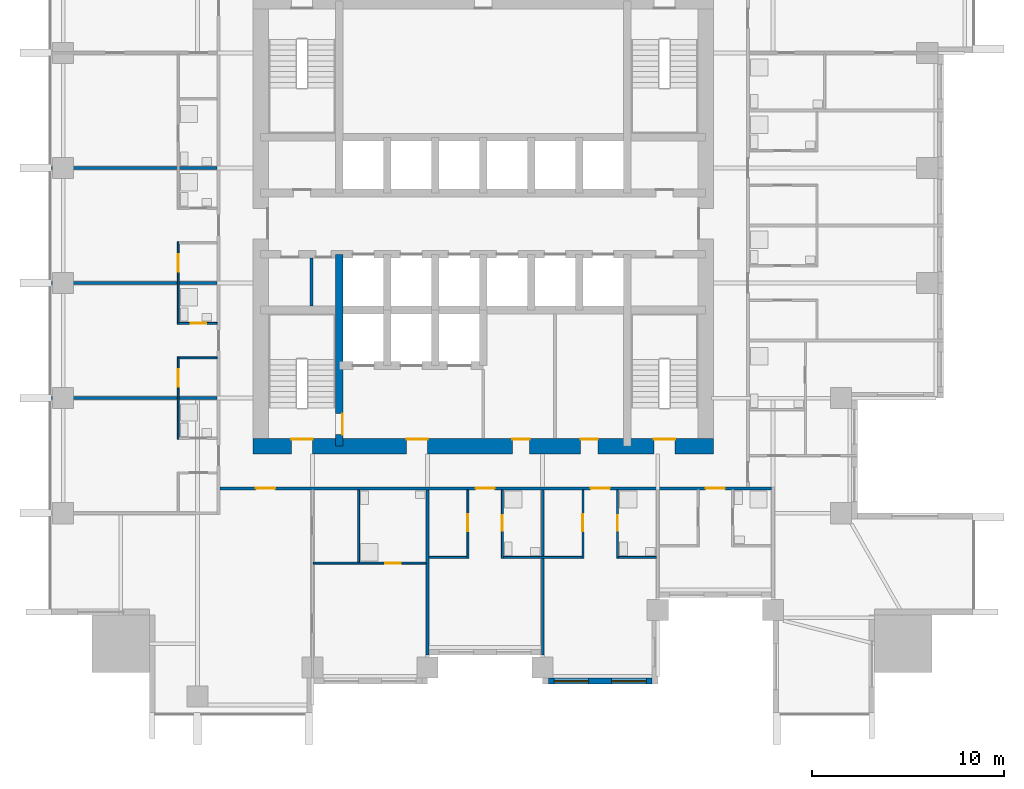
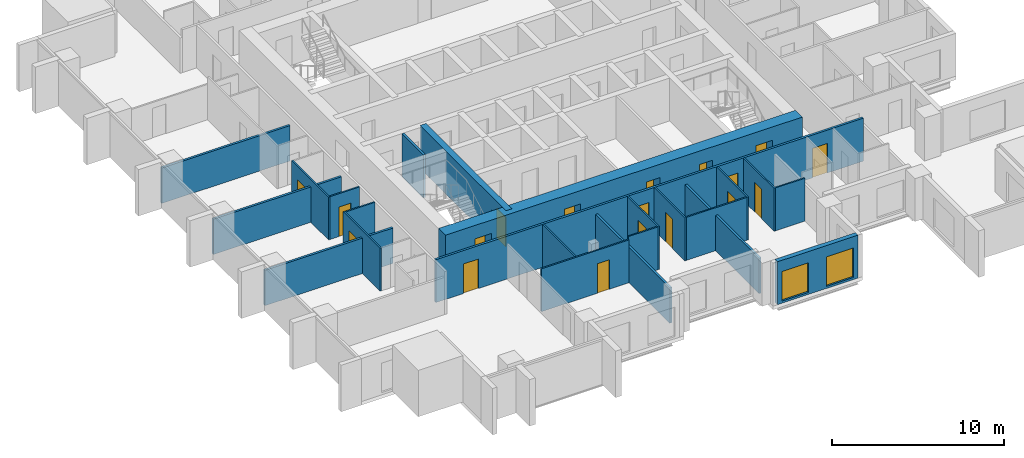
# One storey, part 4 of 11: 23 walls, 18 doors, 2 windows, 20 openings.
"""IFC4 building model written with IfcOpenShell, lengths in metres."""

from ifc_helpers import new_model, si_unit, direction, frame, frame_2d, origin, place, context, subcontext, project, spatial, rectangle, extrude, material, layer, layer_set, type_object, element, fill, save


model = new_model("IFC4")

# Units and contexts
model_context = context("Model", 3, precision=1e-05, world=origin(), true_north=direction((0.0, 1.0)))
body_context = subcontext(model_context, "Body", "Model", "MODEL_VIEW")
ifc_project = project(units=[si_unit("LENGTHUNIT", "METRE"), si_unit("AREAUNIT", "SQUARE_METRE"), si_unit("VOLUMEUNIT", "CUBIC_METRE"), si_unit("PLANEANGLEUNIT", "RADIAN"), si_unit("MASSUNIT", "GRAM", prefix="KILO")], contexts=[model_context])

# Site, building, storey
site_placement = place(None, origin())
site = spatial("IfcSite", under=ifc_project, at=site_placement, CompositionType="ELEMENT")
building_placement = place(site_placement, origin())
building = spatial("IfcBuilding", under=site, at=building_placement, Name="Amberfall Residences", CompositionType="ELEMENT")
storey_placement = place(building_placement, frame((0.0, 0.0, 91.89990234375)))
storey = spatial("IfcBuildingStorey", under=building, at=storey_placement, Name="L24", CompositionType="ELEMENT", Elevation=91.89990234375)

# Wall, openings, windows
ifc_material_1 = material(Name="Pale stone cladding on insulated backing", Category="masonry")
ifc_layer_1 = layer(ifc_material_1, 0.300048828125)
ifc_layer_set_1 = layer_set([ifc_layer_1], Name="Bronze clad wall 300")
wall_type_1 = type_object("IfcWallType", Name="Bronze clad wall 300", PredefinedType="SOLIDWALL", material=ifc_layer_set_1)
wall_1_placement = place(storey_placement, frame((77.89990234375, 21.64990234375, 0.0), z_axis=(0.0, 0.0, 1.0), x_axis=(1.0, 0.0, 0.0)))
wall_1 = element("IfcWall", 1, at=wall_1_placement, inside=storey, type_object=wall_type_1, Name="Stone wall L24 S", PredefinedType="SOLIDWALL", context=body_context, shape_type="SweptSolid", body=[
    extrude(rectangle(XDim=5.400146484375, YDim=0.300048828125, at=frame_2d((2.7001953125, 0.0))), origin(), (0.0, 0.0, 1.0), 3.050048828125),
])
opening_1_placement = place(wall_1_placement, frame((0.300048828125, 0.0, 0.14990234375)))
opening_1 = element("IfcOpeningElement", 2, at=opening_1_placement, cuts=wall_1, Name="Opening WN6", PredefinedType="OPENING", context=body_context, shape_type="SweptSolid", body=[
    extrude(rectangle(XDim=1.800048828125, YDim=2.10009765625, at=frame_2d((0.89990234375, 1.050048828125))), frame((0.0, 0.159912109375, 0.0), z_axis=(0.0, -1.0, 0.0), x_axis=(1.0, 0.0, 0.0)), (0.0, 0.0, 1.0), 0.320068359375),
])
opening_2_placement = place(wall_1_placement, frame((3.300048828125, 0.0, 0.14990234375)))
opening_2 = element("IfcOpeningElement", 3, at=opening_2_placement, cuts=wall_1, Name="Opening WN6", PredefinedType="OPENING", context=body_context, shape_type="SweptSolid", body=[
    extrude(rectangle(XDim=1.800048828125, YDim=2.10009765625, at=frame_2d((0.89990234375, 1.050048828125))), frame((0.0, 0.159912109375, 0.0), z_axis=(0.0, -1.0, 0.0), x_axis=(1.0, 0.0, 0.0)), (0.0, 0.0, 1.0), 0.320068359375),
])
ifc_material_2 = material(Name="Bronze aluminium framed glazing", Category="aluminium")
window_type = type_object("IfcWindowType", Name="Glazed opening 1800 x 2100 bronze", PartitioningType="DOUBLE_PANEL_VERTICAL", PredefinedType="WINDOW", material=ifc_material_2)
window_1_placement = place(opening_1_placement, origin())
window_1 = element("IfcWindow", 4, at=window_1_placement, inside=storey, type_object=window_type, Name="Window L24 S", OverallHeight=2.10009765625, OverallWidth=1.800048828125, PartitioningType="DOUBLE_PANEL_VERTICAL", PredefinedType="WINDOW", context=body_context, shape_type="SweptSolid", body=[
    extrude(rectangle(XDim=1.800048828125, YDim=2.10009765625, at=frame_2d((0.89990234375, 1.050048828125))), frame((0.0, 0.030029296875, 0.0), z_axis=(0.0, -1.0, 0.0), x_axis=(1.0, 0.0, 0.0)), (0.0, 0.0, 1.0), 0.06005859375),
])
fill(opening_1, window_1)
window_2_placement = place(opening_2_placement, origin())
window_2 = element("IfcWindow", 5, at=window_2_placement, inside=storey, type_object=window_type, Name="Window L24 S", OverallHeight=2.10009765625, OverallWidth=1.800048828125, PartitioningType="DOUBLE_PANEL_VERTICAL", PredefinedType="WINDOW", context=body_context, shape_type="SweptSolid", body=[
    extrude(rectangle(XDim=1.800048828125, YDim=2.10009765625, at=frame_2d((0.89990234375, 1.050048828125))), frame((0.0, 0.030029296875, 0.0), z_axis=(0.0, -1.0, 0.0), x_axis=(1.0, 0.0, 0.0)), (0.0, 0.0, 1.0), 0.06005859375),
])
fill(opening_2, window_2)

# Wall, opening, door
ifc_material_3 = material(Name="Concrete C70", Category="concrete")
ifc_layer_2 = layer(ifc_material_3, 0.39990234375)
ifc_layer_set_2 = layer_set([ifc_layer_2], Name="Core wall 400 C70")
wall_type_2 = type_object("IfcWallType", Name="Core wall 400 C70", PredefinedType="SHEAR", material=ifc_layer_set_2)
wall_2_placement = place(storey_placement, frame((67.0, 33.89990234375, 0.0), z_axis=(0.0, 0.0, 1.0), x_axis=(0.0, 1.0, 0.0)))
wall_2 = element("IfcWall", 6, at=wall_2_placement, inside=storey, type_object=wall_type_2, Name="Core wall RW4 L24 V45S", PredefinedType="SHEAR", context=body_context, shape_type="SweptSolid", body=[
    extrude(rectangle(XDim=10.0, YDim=0.39990234375, at=frame_2d((5.0, 0.0))), origin(), (0.0, 0.0, 1.0), 3.050048828125),
])
opening_3_placement = place(wall_2_placement, frame((0.60009765625, 0.0, 0.0)))
opening_3 = element("IfcOpeningElement", 7, at=opening_3_placement, cuts=wall_2, Name="Opening FL1", PredefinedType="OPENING", context=body_context, shape_type="SweptSolid", body=[
    extrude(rectangle(XDim=1.10009765625, YDim=2.10009765625, at=frame_2d((0.550048828125, 1.050048828125))), frame((0.0, 0.2099609375, 0.0), z_axis=(0.0, -1.0, 0.0), x_axis=(1.0, 0.0, 0.0)), (0.0, 0.0, 1.0), 0.419921875),
])
ifc_material_4 = material(Name="Steel fire door set", Category="steel")
door_type_1 = type_object("IfcDoorType", Name="Firefighting lobby door 1100 x 2100", OperationType="SINGLE_SWING_LEFT", PredefinedType="DOOR", material=ifc_material_4)
door_1_placement = place(opening_3_placement, origin())
door_1 = element("IfcDoor", 8, at=door_1_placement, inside=storey, type_object=door_type_1, Name="FL1 L24", OperationType="SINGLE_SWING_RIGHT", OverallHeight=2.10009765625, OverallWidth=1.10009765625, PredefinedType="DOOR", context=body_context, shape_type="SweptSolid", body=[
    extrude(rectangle(XDim=1.10009765625, YDim=2.10009765625, at=frame_2d((0.550048828125, 1.050048828125))), frame((0.0, -0.1376953125, 0.0), z_axis=(0.0, -1.0, 0.0), x_axis=(1.0, 0.0, 0.0)), (0.0, 0.0, 1.0), 0.050048828125),
])
fill(opening_3, door_1)

# Wall, openings, doors
ifc_layer_3 = layer(ifc_material_3, 0.800048828125)
ifc_layer_set_3 = layer_set([ifc_layer_3], Name="Core wall 800 C70")
wall_type_3 = type_object("IfcWallType", Name="Core wall 800 C70", PredefinedType="SHEAR", material=ifc_layer_set_3)
wall_3_placement = place(storey_placement, frame((62.5, 33.89990234375, 0.0), z_axis=(0.0, 0.0, 1.0), x_axis=(1.0, 0.0, 0.0)))
wall_3 = element("IfcWall", 9, at=wall_3_placement, inside=storey, type_object=wall_type_3, Name="Core wall RW3 L24 OS", PredefinedType="SHEAR", context=body_context, shape_type="SweptSolid", body=[
    extrude(rectangle(XDim=24.0, YDim=0.800048828125, at=frame_2d((12.0, 0.0))), origin(), (0.0, 0.0, 1.0), 3.050048828125),
])
opening_4_placement = place(wall_3_placement, frame((2.0, 0.0, 0.0)))
opening_4 = element("IfcOpeningElement", 10, at=opening_4_placement, cuts=wall_3, Name="Opening SD1", PredefinedType="OPENING", context=body_context, shape_type="SweptSolid", body=[
    extrude(rectangle(XDim=1.10009765625, YDim=2.10009765625, at=frame_2d((0.550048828125, 1.050048828125))), frame((0.0, 0.409912109375, 0.0), z_axis=(0.0, -1.0, 0.0), x_axis=(1.0, 0.0, 0.0)), (0.0, 0.0, 1.0), 0.820068359375),
])
opening_5_placement = place(wall_3_placement, frame((20.89990234375, 0.0, 0.0)))
opening_5 = element("IfcOpeningElement", 11, at=opening_5_placement, cuts=wall_3, Name="Opening SD1", PredefinedType="OPENING", context=body_context, shape_type="SweptSolid", body=[
    extrude(rectangle(XDim=1.10009765625, YDim=2.10009765625, at=frame_2d((0.550048828125, 1.050048828125))), frame((0.0, 0.409912109375, 0.0), z_axis=(0.0, -1.0, 0.0), x_axis=(1.0, 0.0, 0.0)), (0.0, 0.0, 1.0), 0.820068359375),
])
opening_6_placement = place(wall_3_placement, frame((8.0, 0.0, 0.0)))
opening_6 = element("IfcOpeningElement", 12, at=opening_6_placement, cuts=wall_3, Name="Opening FL1", PredefinedType="OPENING", context=body_context, shape_type="SweptSolid", body=[
    extrude(rectangle(XDim=1.10009765625, YDim=2.10009765625, at=frame_2d((0.550048828125, 1.050048828125))), frame((0.0, 0.409912109375, 0.0), z_axis=(0.0, -1.0, 0.0), x_axis=(1.0, 0.0, 0.0)), (0.0, 0.0, 1.0), 0.820068359375),
])
opening_7_placement = place(wall_3_placement, frame((13.52490234375, 0.0, 0.0)))
opening_7 = element("IfcOpeningElement", 13, at=opening_7_placement, cuts=wall_3, Name="Opening RD1", PredefinedType="OPENING", context=body_context, shape_type="SweptSolid", body=[
    extrude(rectangle(XDim=0.89990234375, YDim=2.10009765625, at=frame_2d((0.449951171875, 1.050048828125))), frame((0.0, 0.409912109375, 0.0), z_axis=(0.0, -1.0, 0.0), x_axis=(1.0, 0.0, 0.0)), (0.0, 0.0, 1.0), 0.820068359375),
])
opening_8_placement = place(wall_3_placement, frame((17.074951171875, 0.0, 0.0)))
opening_8 = element("IfcOpeningElement", 14, at=opening_8_placement, cuts=wall_3, Name="Opening RD1", PredefinedType="OPENING", context=body_context, shape_type="SweptSolid", body=[
    extrude(rectangle(XDim=0.89990234375, YDim=2.10009765625, at=frame_2d((0.449951171875, 1.050048828125))), frame((0.0, 0.409912109375, 0.0), z_axis=(0.0, -1.0, 0.0), x_axis=(1.0, 0.0, 0.0)), (0.0, 0.0, 1.0), 0.820068359375),
])
door_2_placement = place(opening_6_placement, origin())
door_2 = element("IfcDoor", 15, at=door_2_placement, inside=storey, type_object=door_type_1, Name="FL1 L24", OperationType="SINGLE_SWING_LEFT", OverallHeight=2.10009765625, OverallWidth=1.10009765625, PredefinedType="DOOR", context=body_context, shape_type="SweptSolid", body=[
    extrude(rectangle(XDim=1.10009765625, YDim=2.10009765625, at=frame_2d((0.550048828125, 1.050048828125))), frame((0.0, 0.3876953125, 0.0), z_axis=(0.0, -1.0, 0.0), x_axis=(1.0, 0.0, 0.0)), (0.0, 0.0, 1.0), 0.050048828125),
])
fill(opening_6, door_2)
door_type_2 = type_object("IfcDoorType", Name="Service room door 900 x 2100", OperationType="SINGLE_SWING_LEFT", PredefinedType="DOOR", material=ifc_material_4)
door_3_placement = place(opening_7_placement, origin())
door_3 = element("IfcDoor", 16, at=door_3_placement, inside=storey, type_object=door_type_2, Name="RD1 L24", OperationType="SINGLE_SWING_LEFT", OverallHeight=2.10009765625, OverallWidth=0.89990234375, PredefinedType="DOOR", context=body_context, shape_type="SweptSolid", body=[
    extrude(rectangle(XDim=0.89990234375, YDim=2.10009765625, at=frame_2d((0.449951171875, 1.050048828125))), frame((0.0, 0.3876953125, 0.0), z_axis=(0.0, -1.0, 0.0), x_axis=(1.0, 0.0, 0.0)), (0.0, 0.0, 1.0), 0.050048828125),
])
fill(opening_7, door_3)
door_4_placement = place(opening_8_placement, origin())
door_4 = element("IfcDoor", 17, at=door_4_placement, inside=storey, type_object=door_type_2, Name="RD1 L24", OperationType="SINGLE_SWING_LEFT", OverallHeight=2.10009765625, OverallWidth=0.89990234375, PredefinedType="DOOR", context=body_context, shape_type="SweptSolid", body=[
    extrude(rectangle(XDim=0.89990234375, YDim=2.10009765625, at=frame_2d((0.449951171875, 1.050048828125))), frame((0.0, 0.3876953125, 0.0), z_axis=(0.0, -1.0, 0.0), x_axis=(1.0, 0.0, 0.0)), (0.0, 0.0, 1.0), 0.050048828125),
])
fill(opening_8, door_4)
door_type_3 = type_object("IfcDoorType", Name="Stair door 1100 x 2100", OperationType="SINGLE_SWING_LEFT", PredefinedType="DOOR", material=ifc_material_4)
door_5_placement = place(opening_4_placement, origin())
door_5 = element("IfcDoor", 18, at=door_5_placement, inside=storey, type_object=door_type_3, Name="SD1 L24", OperationType="SINGLE_SWING_LEFT", OverallHeight=2.10009765625, OverallWidth=1.10009765625, PredefinedType="DOOR", context=body_context, shape_type="SweptSolid", body=[
    extrude(rectangle(XDim=1.10009765625, YDim=2.10009765625, at=frame_2d((0.550048828125, 1.050048828125))), frame((0.0, 0.3876953125, 0.0), z_axis=(0.0, -1.0, 0.0), x_axis=(1.0, 0.0, 0.0)), (0.0, 0.0, 1.0), 0.050048828125),
])
fill(opening_4, door_5)
door_6_placement = place(opening_5_placement, origin())
door_6 = element("IfcDoor", 19, at=door_6_placement, inside=storey, type_object=door_type_3, Name="SD1 L24", OperationType="SINGLE_SWING_RIGHT", OverallHeight=2.10009765625, OverallWidth=1.10009765625, PredefinedType="DOOR", context=body_context, shape_type="SweptSolid", body=[
    extrude(rectangle(XDim=1.10009765625, YDim=2.10009765625, at=frame_2d((0.550048828125, 1.050048828125))), frame((0.0, 0.3876953125, 0.0), z_axis=(0.0, -1.0, 0.0), x_axis=(1.0, 0.0, 0.0)), (0.0, 0.0, 1.0), 0.050048828125),
])
fill(opening_5, door_6)

# Wall, opening, door
ifc_material_5 = material(Name="Gypsum board on metal stud")
ifc_layer_4 = layer(ifc_material_5, 0.10009765625)
ifc_layer_set_4 = layer_set([ifc_layer_4], Name="Flat partition 100")
wall_type_4 = type_object("IfcWallType", Name="Flat partition 100", PredefinedType="PARTITIONING", material=ifc_layer_set_4)
wall_4_placement = place(storey_placement, frame((58.60009765625, 38.550048828125, 0.0), z_axis=(0.0, 0.0, 1.0), x_axis=(0.0, -1.0, 0.0)))
wall_4 = element("IfcWall", 20, at=wall_4_placement, inside=storey, type_object=wall_type_4, Name="Partition 002", PredefinedType="PARTITIONING", context=body_context, shape_type="SweptSolid", body=[
    extrude(rectangle(XDim=4.300048828125, YDim=0.10009765625, at=frame_2d((2.14990234375, 0.0))), origin(), (0.0, 0.0, 1.0), 3.050048828125),
])
opening_9_placement = place(wall_4_placement, frame((0.64990234375, 0.0, 0.0)))
opening_9 = element("IfcOpeningElement", 21, at=opening_9_placement, cuts=wall_4, Name="Opening D41", PredefinedType="OPENING", context=body_context, shape_type="SweptSolid", body=[
    extrude(rectangle(XDim=0.89990234375, YDim=2.10009765625, at=frame_2d((0.449951171875, 1.050048828125))), frame((0.0, 0.06005859375, 0.0), z_axis=(0.0, -1.0, 0.0), x_axis=(1.0, 0.0, 0.0)), (0.0, 0.0, 1.0), 0.1201171875),
])
ifc_material_6 = material(Name="Timber", Category="wood")
door_type_4 = type_object("IfcDoorType", Name="Internal door 900 x 2100", OperationType="SINGLE_SWING_LEFT", PredefinedType="DOOR", material=ifc_material_6)
door_7_placement = place(opening_9_placement, origin())
door_7 = element("IfcDoor", 22, at=door_7_placement, inside=storey, type_object=door_type_4, Name="Door 2414 kitchen", OperationType="SINGLE_SWING_LEFT", OverallHeight=2.10009765625, OverallWidth=0.89990234375, PredefinedType="DOOR", context=body_context, shape_type="SweptSolid", body=[
    extrude(rectangle(XDim=0.89990234375, YDim=2.10009765625, at=frame_2d((0.449951171875, 1.050048828125))), frame((0.0, 0.02490234375, 0.0), z_axis=(0.0, -1.0, 0.0), x_axis=(1.0, 0.0, 0.0)), (0.0, 0.0, 1.0), 0.050048828125),
])
fill(opening_9, door_7)

wall_5_placement = place(storey_placement, frame((58.60009765625, 44.550048828125, 0.0), z_axis=(0.0, 0.0, 1.0), x_axis=(0.0, -1.0, 0.0)))
wall_5 = element("IfcWall", 23, at=wall_5_placement, inside=storey, type_object=wall_type_4, Name="Partition 003", PredefinedType="PARTITIONING", context=body_context, shape_type="SweptSolid", body=[
    extrude(rectangle(XDim=4.300048828125, YDim=0.10009765625, at=frame_2d((2.14990234375, 0.0))), origin(), (0.0, 0.0, 1.0), 3.050048828125),
])
opening_10_placement = place(wall_5_placement, frame((0.64990234375, 0.0, 0.0)))
opening_10 = element("IfcOpeningElement", 24, at=opening_10_placement, cuts=wall_5, Name="Opening D41", PredefinedType="OPENING", context=body_context, shape_type="SweptSolid", body=[
    extrude(rectangle(XDim=0.89990234375, YDim=2.10009765625, at=frame_2d((0.449951171875, 1.050048828125))), frame((0.0, 0.06005859375, 0.0), z_axis=(0.0, -1.0, 0.0), x_axis=(1.0, 0.0, 0.0)), (0.0, 0.0, 1.0), 0.1201171875),
])
door_8_placement = place(opening_10_placement, origin())
door_8 = element("IfcDoor", 25, at=door_8_placement, inside=storey, type_object=door_type_4, Name="Door 2415 kitchen", OperationType="SINGLE_SWING_LEFT", OverallHeight=2.10009765625, OverallWidth=0.89990234375, PredefinedType="DOOR", context=body_context, shape_type="SweptSolid", body=[
    extrude(rectangle(XDim=0.89990234375, YDim=2.10009765625, at=frame_2d((0.449951171875, 1.050048828125))), frame((0.0, 0.02490234375, 0.0), z_axis=(0.0, -1.0, 0.0), x_axis=(1.0, 0.0, 0.0)), (0.0, 0.0, 1.0), 0.050048828125),
])
fill(opening_10, door_8)

# Wall
wall_6_placement = place(storey_placement, frame((68.0, 27.85009765625, 0.0), z_axis=(0.0, 0.0, 1.0), x_axis=(0.0, 1.0, 0.0)))
element("IfcWall", 26, at=wall_6_placement, inside=storey, type_object=wall_type_4, Name="Partition 009", PredefinedType="PARTITIONING", context=body_context, shape_type="SweptSolid", body=[
    extrude(rectangle(XDim=3.77490234375, YDim=0.10009765625, at=frame_2d((1.887451171875, 0.0))), origin(), (0.0, 0.0, 1.0), 3.050048828125),
])

# Wall, opening, door
wall_7_placement = place(storey_placement, frame((73.699951171875, 28.050048828125, 0.0), z_axis=(0.0, 0.0, 1.0), x_axis=(0.0, 1.0, 0.0)))
wall_7 = element("IfcWall", 27, at=wall_7_placement, inside=storey, type_object=wall_type_4, Name="Partition 011", PredefinedType="PARTITIONING", context=body_context, shape_type="SweptSolid", body=[
    extrude(rectangle(XDim=3.574951171875, YDim=0.10009765625, at=frame_2d((1.78759765625, 0.0))), origin(), (0.0, 0.0, 1.0), 3.050048828125),
])
opening_11_placement = place(wall_7_placement, frame((1.39990234375, 0.0, 0.0)))
opening_11 = element("IfcOpeningElement", 28, at=opening_11_placement, cuts=wall_7, Name="Opening D41", PredefinedType="OPENING", context=body_context, shape_type="SweptSolid", body=[
    extrude(rectangle(XDim=0.89990234375, YDim=2.10009765625, at=frame_2d((0.449951171875, 1.050048828125))), frame((0.0, 0.06005859375, 0.0), z_axis=(0.0, -1.0, 0.0), x_axis=(1.0, 0.0, 0.0)), (0.0, 0.0, 1.0), 0.1201171875),
])
door_9_placement = place(opening_11_placement, origin())
door_9 = element("IfcDoor", 29, at=door_9_placement, inside=storey, type_object=door_type_4, Name="Door 2402 kitchen", OperationType="SINGLE_SWING_LEFT", OverallHeight=2.10009765625, OverallWidth=0.89990234375, PredefinedType="DOOR", context=body_context, shape_type="SweptSolid", body=[
    extrude(rectangle(XDim=0.89990234375, YDim=2.10009765625, at=frame_2d((0.449951171875, 1.050048828125))), frame((0.0, 0.02490234375, 0.0), z_axis=(0.0, -1.0, 0.0), x_axis=(1.0, 0.0, 0.0)), (0.0, 0.0, 1.0), 0.050048828125),
])
fill(opening_11, door_9)

wall_8_placement = place(storey_placement, frame((75.5, 31.625, 0.0), z_axis=(0.0, 0.0, 1.0), x_axis=(0.0, -1.0, 0.0)))
wall_8 = element("IfcWall", 30, at=wall_8_placement, inside=storey, type_object=wall_type_4, Name="Partition 013", PredefinedType="PARTITIONING", context=body_context, shape_type="SweptSolid", body=[
    extrude(rectangle(XDim=3.574951171875, YDim=0.10009765625, at=frame_2d((1.78759765625, 0.0))), origin(), (0.0, 0.0, 1.0), 3.050048828125),
])
opening_12_placement = place(wall_8_placement, frame((1.324951171875, 0.0, 0.0)))
opening_12 = element("IfcOpeningElement", 31, at=opening_12_placement, cuts=wall_8, Name="Opening D42", PredefinedType="OPENING", context=body_context, shape_type="SweptSolid", body=[
    extrude(rectangle(XDim=0.800048828125, YDim=2.10009765625, at=frame_2d((0.39990234375, 1.050048828125))), frame((0.0, 0.06005859375, 0.0), z_axis=(0.0, -1.0, 0.0), x_axis=(1.0, 0.0, 0.0)), (0.0, 0.0, 1.0), 0.1201171875),
])
door_type_5 = type_object("IfcDoorType", Name="Bathroom door 800 x 2100", OperationType="SINGLE_SWING_LEFT", PredefinedType="DOOR", material=ifc_material_6)
door_10_placement = place(opening_12_placement, origin())
door_10 = element("IfcDoor", 32, at=door_10_placement, inside=storey, type_object=door_type_5, Name="Door 2402 bath1", OperationType="SINGLE_SWING_LEFT", OverallHeight=2.10009765625, OverallWidth=0.800048828125, PredefinedType="DOOR", context=body_context, shape_type="SweptSolid", body=[
    extrude(rectangle(XDim=0.800048828125, YDim=2.10009765625, at=frame_2d((0.39990234375, 1.050048828125))), frame((0.0, 0.02490234375, 0.0), z_axis=(0.0, -1.0, 0.0), x_axis=(1.0, 0.0, 0.0)), (0.0, 0.0, 1.0), 0.050048828125),
])
fill(opening_12, door_10)

wall_9_placement = place(storey_placement, frame((79.699951171875, 28.050048828125, 0.0), z_axis=(0.0, 0.0, 1.0), x_axis=(0.0, 1.0, 0.0)))
wall_9 = element("IfcWall", 33, at=wall_9_placement, inside=storey, type_object=wall_type_4, Name="Partition 015", PredefinedType="PARTITIONING", context=body_context, shape_type="SweptSolid", body=[
    extrude(rectangle(XDim=3.574951171875, YDim=0.10009765625, at=frame_2d((1.78759765625, 0.0))), origin(), (0.0, 0.0, 1.0), 3.050048828125),
])
opening_13_placement = place(wall_9_placement, frame((1.39990234375, 0.0, 0.0)))
opening_13 = element("IfcOpeningElement", 34, at=opening_13_placement, cuts=wall_9, Name="Opening D41", PredefinedType="OPENING", context=body_context, shape_type="SweptSolid", body=[
    extrude(rectangle(XDim=0.89990234375, YDim=2.10009765625, at=frame_2d((0.449951171875, 1.050048828125))), frame((0.0, 0.06005859375, 0.0), z_axis=(0.0, -1.0, 0.0), x_axis=(1.0, 0.0, 0.0)), (0.0, 0.0, 1.0), 0.1201171875),
])
door_11_placement = place(opening_13_placement, origin())
door_11 = element("IfcDoor", 35, at=door_11_placement, inside=storey, type_object=door_type_4, Name="Door 2403 kitchen", OperationType="SINGLE_SWING_LEFT", OverallHeight=2.10009765625, OverallWidth=0.89990234375, PredefinedType="DOOR", context=body_context, shape_type="SweptSolid", body=[
    extrude(rectangle(XDim=0.89990234375, YDim=2.10009765625, at=frame_2d((0.449951171875, 1.050048828125))), frame((0.0, 0.02490234375, 0.0), z_axis=(0.0, -1.0, 0.0), x_axis=(1.0, 0.0, 0.0)), (0.0, 0.0, 1.0), 0.050048828125),
])
fill(opening_13, door_11)

wall_10_placement = place(storey_placement, frame((81.5, 31.625, 0.0), z_axis=(0.0, 0.0, 1.0), x_axis=(0.0, -1.0, 0.0)))
wall_10 = element("IfcWall", 36, at=wall_10_placement, inside=storey, type_object=wall_type_4, Name="Partition 017", PredefinedType="PARTITIONING", context=body_context, shape_type="SweptSolid", body=[
    extrude(rectangle(XDim=3.574951171875, YDim=0.10009765625, at=frame_2d((1.78759765625, 0.0))), origin(), (0.0, 0.0, 1.0), 3.050048828125),
])
opening_14_placement = place(wall_10_placement, frame((1.324951171875, 0.0, 0.0)))
opening_14 = element("IfcOpeningElement", 37, at=opening_14_placement, cuts=wall_10, Name="Opening D42", PredefinedType="OPENING", context=body_context, shape_type="SweptSolid", body=[
    extrude(rectangle(XDim=0.800048828125, YDim=2.10009765625, at=frame_2d((0.39990234375, 1.050048828125))), frame((0.0, 0.06005859375, 0.0), z_axis=(0.0, -1.0, 0.0), x_axis=(1.0, 0.0, 0.0)), (0.0, 0.0, 1.0), 0.1201171875),
])
door_12_placement = place(opening_14_placement, origin())
door_12 = element("IfcDoor", 38, at=door_12_placement, inside=storey, type_object=door_type_5, Name="Door 2403 bath1", OperationType="SINGLE_SWING_LEFT", OverallHeight=2.10009765625, OverallWidth=0.800048828125, PredefinedType="DOOR", context=body_context, shape_type="SweptSolid", body=[
    extrude(rectangle(XDim=0.800048828125, YDim=2.10009765625, at=frame_2d((0.39990234375, 1.050048828125))), frame((0.0, 0.02490234375, 0.0), z_axis=(0.0, -1.0, 0.0), x_axis=(1.0, 0.0, 0.0)), (0.0, 0.0, 1.0), 0.050048828125),
])
fill(opening_14, door_12)

wall_11_placement = place(storey_placement, frame((58.64990234375, 40.300048828125, 0.0), z_axis=(0.0, 0.0, 1.0), x_axis=(1.0, 0.0, 0.0)))
wall_11 = element("IfcWall", 39, at=wall_11_placement, inside=storey, type_object=wall_type_4, Name="Partition 041", PredefinedType="PARTITIONING", context=body_context, shape_type="SweptSolid", body=[
    extrude(rectangle(XDim=1.97509765625, YDim=0.10009765625, at=frame_2d((0.987548828125, 0.0))), origin(), (0.0, 0.0, 1.0), 3.050048828125),
])
opening_15_placement = place(wall_11_placement, frame((0.60009765625, 0.0, 0.0)))
opening_15 = element("IfcOpeningElement", 40, at=opening_15_placement, cuts=wall_11, Name="Opening D42", PredefinedType="OPENING", context=body_context, shape_type="SweptSolid", body=[
    extrude(rectangle(XDim=0.800048828125, YDim=2.10009765625, at=frame_2d((0.39990234375, 1.050048828125))), frame((0.0, 0.06005859375, 0.0), z_axis=(0.0, -1.0, 0.0), x_axis=(1.0, 0.0, 0.0)), (0.0, 0.0, 1.0), 0.1201171875),
])
door_13_placement = place(opening_15_placement, origin())
door_13 = element("IfcDoor", 41, at=door_13_placement, inside=storey, type_object=door_type_5, Name="Door 2414 bath1", OperationType="SINGLE_SWING_LEFT", OverallHeight=2.10009765625, OverallWidth=0.800048828125, PredefinedType="DOOR", context=body_context, shape_type="SweptSolid", body=[
    extrude(rectangle(XDim=0.800048828125, YDim=2.10009765625, at=frame_2d((0.39990234375, 1.050048828125))), frame((0.0, 0.02490234375, 0.0), z_axis=(0.0, -1.0, 0.0), x_axis=(1.0, 0.0, 0.0)), (0.0, 0.0, 1.0), 0.050048828125),
])
fill(opening_15, door_13)

# Walls
wall_12_placement = place(storey_placement, frame((58.64990234375, 38.5, 0.0), z_axis=(0.0, 0.0, 1.0), x_axis=(1.0, 0.0, 0.0)))
element("IfcWall", 42, at=wall_12_placement, inside=storey, type_object=wall_type_4, Name="Partition 042", PredefinedType="PARTITIONING", context=body_context, shape_type="SweptSolid", body=[
    extrude(rectangle(XDim=1.97509765625, YDim=0.10009765625, at=frame_2d((0.987548828125, 0.0))), origin(), (0.0, 0.0, 1.0), 3.050048828125),
])
wall_13_placement = place(storey_placement, frame((71.675048828125, 28.10009765625, 0.0), z_axis=(0.0, 0.0, 1.0), x_axis=(1.0, 0.0, 0.0)))
element("IfcWall", 43, at=wall_13_placement, inside=storey, type_object=wall_type_4, Name="Partition 049", PredefinedType="PARTITIONING", context=body_context, shape_type="SweptSolid", body=[
    extrude(rectangle(XDim=1.974853515625, YDim=0.10009765625, at=frame_2d((0.9873046875, 0.0))), origin(), (0.0, 0.0, 1.0), 3.050048828125),
])
wall_14_placement = place(storey_placement, frame((75.550048828125, 28.10009765625, 0.0), z_axis=(0.0, 0.0, 1.0), x_axis=(1.0, 0.0, 0.0)))
element("IfcWall", 44, at=wall_14_placement, inside=storey, type_object=wall_type_4, Name="Partition 050", PredefinedType="PARTITIONING", context=body_context, shape_type="SweptSolid", body=[
    extrude(rectangle(XDim=4.099853515625, YDim=0.10009765625, at=frame_2d((2.0498046875, 0.0))), origin(), (0.0, 0.0, 1.0), 3.050048828125),
])
wall_15_placement = place(storey_placement, frame((81.550048828125, 28.10009765625, 0.0), z_axis=(0.0, 0.0, 1.0), x_axis=(1.0, 0.0, 0.0)))
element("IfcWall", 45, at=wall_15_placement, inside=storey, type_object=wall_type_4, Name="Partition 051", PredefinedType="PARTITIONING", context=body_context, shape_type="SweptSolid", body=[
    extrude(rectangle(XDim=1.974853515625, YDim=0.10009765625, at=frame_2d((0.9873046875, 0.0))), origin(), (0.0, 0.0, 1.0), 3.050048828125),
])

# Wall, opening, door
wall_16_placement = place(storey_placement, frame((65.64990234375, 27.800048828125, 0.0), z_axis=(0.0, 0.0, 1.0), x_axis=(1.0, 0.0, 0.0)))
wall_16 = element("IfcWall", 46, at=wall_16_placement, inside=storey, type_object=wall_type_4, Name="Partition 052", PredefinedType="PARTITIONING", context=body_context, shape_type="SweptSolid", body=[
    extrude(rectangle(XDim=5.875, YDim=0.10009765625, at=frame_2d((2.9375, 0.0))), origin(), (0.0, 0.0, 1.0), 3.050048828125),
])
opening_16_placement = place(wall_16_placement, frame((3.75, 0.0, 0.0)))
opening_16 = element("IfcOpeningElement", 47, at=opening_16_placement, cuts=wall_16, Name="Opening D42", PredefinedType="OPENING", context=body_context, shape_type="SweptSolid", body=[
    extrude(rectangle(XDim=0.800048828125, YDim=2.10009765625, at=frame_2d((0.39990234375, 1.050048828125))), frame((0.0, 0.06005859375, 0.0), z_axis=(0.0, -1.0, 0.0), x_axis=(1.0, 0.0, 0.0)), (0.0, 0.0, 1.0), 0.1201171875),
])
door_14_placement = place(opening_16_placement, origin())
door_14 = element("IfcDoor", 48, at=door_14_placement, inside=storey, type_object=door_type_5, Name="Door 2401 bath1", OperationType="SINGLE_SWING_LEFT", OverallHeight=2.10009765625, OverallWidth=0.800048828125, PredefinedType="DOOR", context=body_context, shape_type="SweptSolid", body=[
    extrude(rectangle(XDim=0.800048828125, YDim=2.10009765625, at=frame_2d((0.39990234375, 1.050048828125))), frame((0.0, 0.02490234375, 0.0), z_axis=(0.0, -1.0, 0.0), x_axis=(1.0, 0.0, 0.0)), (0.0, 0.0, 1.0), 0.050048828125),
])
fill(opening_16, door_14)

# Walls
ifc_material_7 = material(Name="Blockwork, plastered", Category="masonry")
ifc_layer_5 = layer(ifc_material_7, 0.14990234375)
ifc_layer_set_5 = layer_set([ifc_layer_5], Name="Flat separating wall 150")
wall_type_5 = type_object("IfcWallType", Name="Flat separating wall 150", PredefinedType="PARTITIONING", material=ifc_layer_set_5)
for number, where, z_axis, x_axis, name in (
    (49, (71.60009765625, 23.0, 0.0), (0.0, 0.0, 1.0), (0.0, 1.0, 0.0), "Separating wall 056"),
    (50, (77.60009765625, 23.0, 0.0), (0.0, 0.0, 1.0), (0.0, 1.0, 0.0), "Separating wall 058"),
    (51, (52.0, 48.39990234375, 0.0), (0.0, 0.0, 1.0), (1.0, 0.0, 0.0), "Separating wall 066"),
    (52, (52.0, 42.39990234375, 0.0), (0.0, 0.0, 1.0), (1.0, 0.0, 0.0), "Separating wall 068"),
    (53, (52.0, 36.39990234375, 0.0), (0.0, 0.0, 1.0), (1.0, 0.0, 0.0), "Separating wall 070"),
):
    element("IfcWall", number, at=place(storey_placement, frame(where, z_axis=z_axis, x_axis=x_axis)), inside=storey, type_object=wall_type_5, Name=name, PredefinedType="PARTITIONING", context=body_context, shape_type="SweptSolid", body=[
        extrude(rectangle(XDim=8.625, YDim=0.14990234375, at=frame_2d((4.3125, 0.0))), origin(), (0.0, 0.0, 1.0), 2.51611328125),
    ])

# Wall, openings, doors
wall_17_placement = place(storey_placement, frame((89.52490234375, 31.699951171875, 0.0), z_axis=(0.0, 0.0, 1.0), x_axis=(-1.0, 0.0, 0.0)))
wall_17 = element("IfcWall", 54, at=wall_17_placement, inside=storey, type_object=wall_type_5, Name="Separating wall 071", PredefinedType="PARTITIONING", context=body_context, shape_type="SweptSolid", body=[
    extrude(rectangle(XDim=28.75, YDim=0.14990234375, at=frame_2d((14.375, 0.0))), origin(), (0.0, 0.0, 1.0), 3.050048828125),
])
opening_17_placement = place(wall_17_placement, frame((25.875, 0.0, 0.0)))
opening_17 = element("IfcOpeningElement", 55, at=opening_17_placement, cuts=wall_17, Name="Opening D40", PredefinedType="OPENING", context=body_context, shape_type="SweptSolid", body=[
    extrude(rectangle(XDim=1.0, YDim=2.10009765625, at=frame_2d((0.5, 1.050048828125))), frame((0.0, 0.0849609375, 0.0), z_axis=(0.0, -1.0, 0.0), x_axis=(1.0, 0.0, 0.0)), (0.0, 0.0, 1.0), 0.169921875),
])
opening_18_placement = place(wall_17_placement, frame((14.425048828125, 0.0, 0.0)))
opening_18 = element("IfcOpeningElement", 56, at=opening_18_placement, cuts=wall_17, Name="Opening D40", PredefinedType="OPENING", context=body_context, shape_type="SweptSolid", body=[
    extrude(rectangle(XDim=1.0, YDim=2.10009765625, at=frame_2d((0.5, 1.050048828125))), frame((0.0, 0.0849609375, 0.0), z_axis=(0.0, -1.0, 0.0), x_axis=(1.0, 0.0, 0.0)), (0.0, 0.0, 1.0), 0.169921875),
])
opening_19_placement = place(wall_17_placement, frame((8.425048828125, 0.0, 0.0)))
opening_19 = element("IfcOpeningElement", 57, at=opening_19_placement, cuts=wall_17, Name="Opening D40", PredefinedType="OPENING", context=body_context, shape_type="SweptSolid", body=[
    extrude(rectangle(XDim=1.0, YDim=2.10009765625, at=frame_2d((0.5, 1.050048828125))), frame((0.0, 0.0849609375, 0.0), z_axis=(0.0, -1.0, 0.0), x_axis=(1.0, 0.0, 0.0)), (0.0, 0.0, 1.0), 0.169921875),
])
opening_20_placement = place(wall_17_placement, frame((2.425048828125, 0.0, 0.0)))
opening_20 = element("IfcOpeningElement", 58, at=opening_20_placement, cuts=wall_17, Name="Opening D40", PredefinedType="OPENING", context=body_context, shape_type="SweptSolid", body=[
    extrude(rectangle(XDim=1.0, YDim=2.10009765625, at=frame_2d((0.5, 1.050048828125))), frame((0.0, 0.0849609375, 0.0), z_axis=(0.0, -1.0, 0.0), x_axis=(1.0, 0.0, 0.0)), (0.0, 0.0, 1.0), 0.169921875),
])
ifc_material_8 = material(Name="Timber, fire-rated", Category="wood")
door_type_6 = type_object("IfcDoorType", Name="Flat entrance door FD60 1000 x 2100", OperationType="SINGLE_SWING_LEFT", PredefinedType="DOOR", material=ifc_material_8)
door_15_placement = place(opening_17_placement, origin())
door_15 = element("IfcDoor", 59, at=door_15_placement, inside=storey, type_object=door_type_6, Name="Door 2401 entrance", OperationType="SINGLE_SWING_LEFT", OverallHeight=2.10009765625, OverallWidth=1.0, PredefinedType="DOOR", context=body_context, shape_type="SweptSolid", body=[
    extrude(rectangle(XDim=1.0, YDim=2.10009765625, at=frame_2d((0.5, 1.050048828125))), frame((0.0, 0.02490234375, 0.0), z_axis=(0.0, -1.0, 0.0), x_axis=(1.0, 0.0, 0.0)), (0.0, 0.0, 1.0), 0.050048828125),
])
fill(opening_17, door_15)
door_16_placement = place(opening_18_placement, origin())
door_16 = element("IfcDoor", 60, at=door_16_placement, inside=storey, type_object=door_type_6, Name="Door 2402 entrance", OperationType="SINGLE_SWING_LEFT", OverallHeight=2.10009765625, OverallWidth=1.0, PredefinedType="DOOR", context=body_context, shape_type="SweptSolid", body=[
    extrude(rectangle(XDim=1.0, YDim=2.10009765625, at=frame_2d((0.5, 1.050048828125))), frame((0.0, 0.02490234375, 0.0), z_axis=(0.0, -1.0, 0.0), x_axis=(1.0, 0.0, 0.0)), (0.0, 0.0, 1.0), 0.050048828125),
])
fill(opening_18, door_16)
door_17_placement = place(opening_19_placement, origin())
door_17 = element("IfcDoor", 61, at=door_17_placement, inside=storey, type_object=door_type_6, Name="Door 2403 entrance", OperationType="SINGLE_SWING_LEFT", OverallHeight=2.10009765625, OverallWidth=1.0, PredefinedType="DOOR", context=body_context, shape_type="SweptSolid", body=[
    extrude(rectangle(XDim=1.0, YDim=2.10009765625, at=frame_2d((0.5, 1.050048828125))), frame((0.0, 0.02490234375, 0.0), z_axis=(0.0, -1.0, 0.0), x_axis=(1.0, 0.0, 0.0)), (0.0, 0.0, 1.0), 0.050048828125),
])
fill(opening_19, door_17)
door_18_placement = place(opening_20_placement, origin())
door_18 = element("IfcDoor", 62, at=door_18_placement, inside=storey, type_object=door_type_6, Name="Door 2404 entrance", OperationType="SINGLE_SWING_LEFT", OverallHeight=2.10009765625, OverallWidth=1.0, PredefinedType="DOOR", context=body_context, shape_type="SweptSolid", body=[
    extrude(rectangle(XDim=1.0, YDim=2.10009765625, at=frame_2d((0.5, 1.050048828125))), frame((0.0, 0.02490234375, 0.0), z_axis=(0.0, -1.0, 0.0), x_axis=(1.0, 0.0, 0.0)), (0.0, 0.0, 1.0), 0.050048828125),
])
fill(opening_20, door_18)

# Wall
ifc_material_9 = material(Name="Concrete blockwork", Category="masonry")
ifc_layer_6 = layer(ifc_material_9, 0.14990234375)
ifc_layer_set_6 = layer_set([ifc_layer_6], Name="Riser wall 150")
wall_type_6 = type_object("IfcWallType", Name="Riser wall 150", PredefinedType="PLUMBINGWALL", material=ifc_layer_set_6)
wall_18_placement = place(storey_placement, frame((65.5400390625, 41.199951171875, 0.0), z_axis=(0.0, 0.0, 1.0), x_axis=(0.0, 1.0, 0.0)))
element("IfcWall", 63, at=wall_18_placement, inside=storey, type_object=wall_type_6, Name="L24 core wall ASW0", PredefinedType="PLUMBINGWALL", context=body_context, shape_type="SweptSolid", body=[
    extrude(rectangle(XDim=2.5, YDim=0.14990234375, at=frame_2d((1.25, 0.0))), origin(), (0.0, 0.0, 1.0), 3.050048828125),
])

save(model, "model.ifc")
